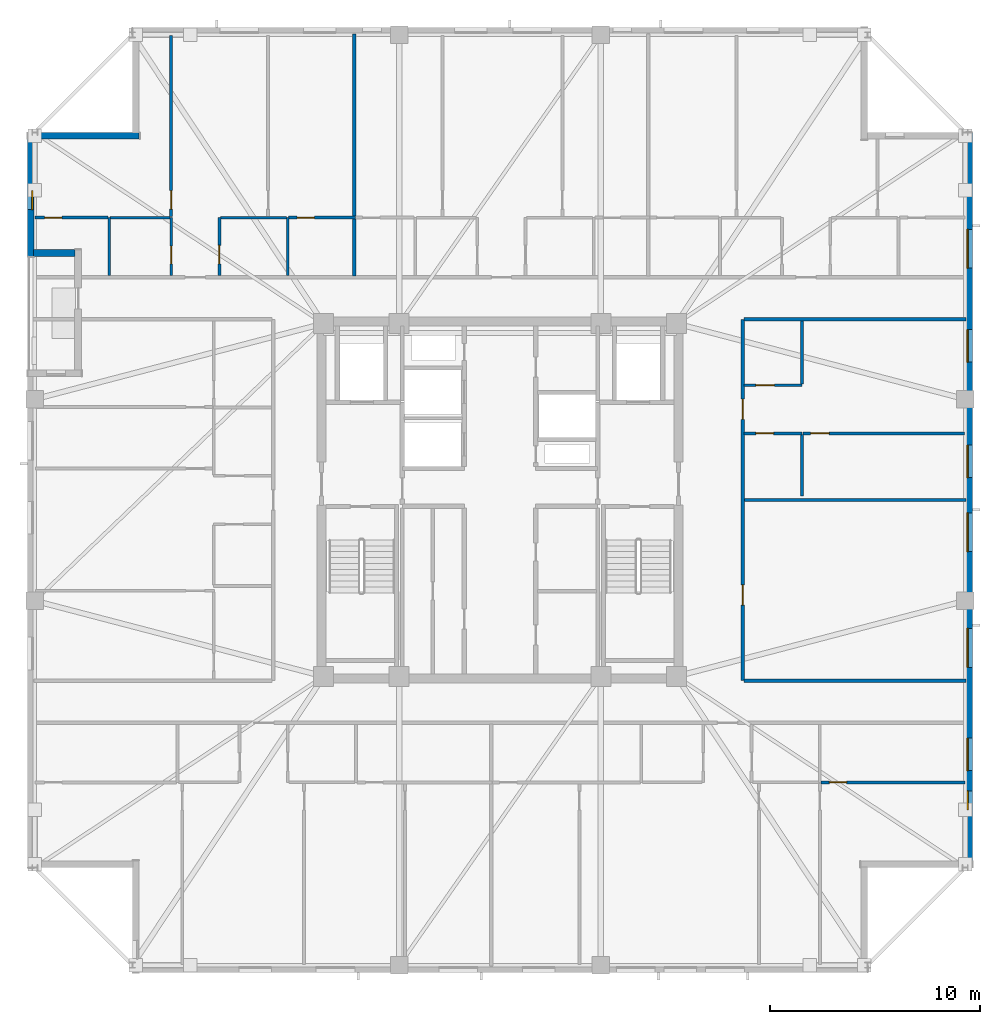
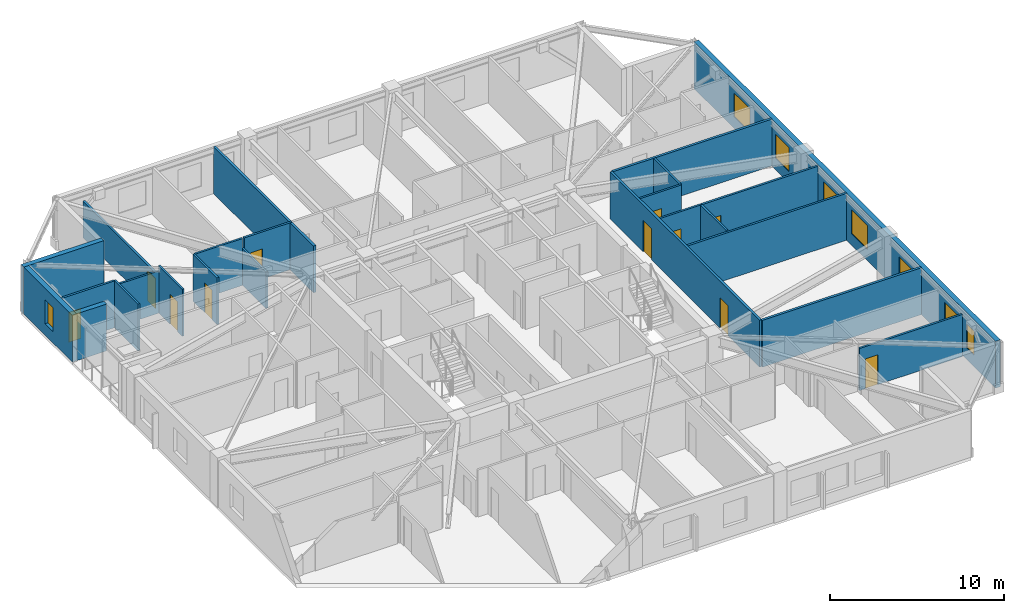
# One storey, part 10 of 17: 24 walls, 11 doors, 8 windows, 19 openings.
"""IFC4 building model written with IfcOpenShell, lengths in metres."""

from ifc_helpers import new_model, si_unit, direction, frame, frame_2d, origin, place, context, subcontext, project, spatial, rectangle, extrude, material, layer, layer_set, type_object, element, fill, save


model = new_model("IFC4")

# Units and contexts
model_context = context("Model", 3, precision=1e-05, world=origin(), true_north=direction((0.0, 1.0)))
body_context = subcontext(model_context, "Body", "Model", "MODEL_VIEW")
ifc_project = project(units=[si_unit("LENGTHUNIT", "METRE"), si_unit("AREAUNIT", "SQUARE_METRE"), si_unit("VOLUMEUNIT", "CUBIC_METRE"), si_unit("PLANEANGLEUNIT", "RADIAN"), si_unit("MASSUNIT", "GRAM", prefix="KILO")], contexts=[model_context])

# Site, building, storey
site_placement = place(None, origin())
site = spatial("IfcSite", under=ifc_project, at=site_placement, CompositionType="ELEMENT")
building_placement = place(site_placement, origin())
building = spatial("IfcBuilding", under=site, at=building_placement, Name="Cairnveth Concourse Tower", CompositionType="ELEMENT")
storey_placement = place(building_placement, frame((0.0, 0.0, 230.5)))
storey = spatial("IfcBuildingStorey", under=building, at=storey_placement, Name="L63", CompositionType="ELEMENT", Elevation=230.5)

# Wall, openings, doors
ifc_material_1 = material(Name="Gypsum Plasterboard Partition", Category="gypsum")
ifc_layer_1 = layer(ifc_material_1, 0.159912109375)
ifc_layer_set_1 = layer_set([ifc_layer_1], Name="Gypsum Plasterboard Partition")
wall_type_1 = type_object("IfcWallType", Name="ACOUSTIC PARTY WALL 180", PredefinedType="PARTITIONING", material=ifc_layer_set_1)
wall_1_placement = place(storey_placement, frame((63.550048828125, 30.39990234375, 0.0), z_axis=(0.0, 0.0, 1.0), x_axis=(0.0, 1.0, 0.0)))
wall_1 = element("IfcWall", 1, at=wall_1_placement, inside=storey, type_object=wall_type_1, Name="Interior Wall IW-L63-038", PredefinedType="PARTITIONING", context=body_context, shape_type="SweptSolid", body=[
    extrude(rectangle(XDim=17.2001953125, YDim=0.159912109375, at=frame_2d((8.60009765625, 0.0))), origin(), (0.0, 0.0, 1.0), 3.2900390625),
])
opening_1_placement = place(wall_1_placement, frame((3.60009765625, 0.0, 0.0)))
opening_1 = element("IfcOpeningElement", 2, at=opening_1_placement, cuts=wall_1, Name="Opening ID11", PredefinedType="OPENING", context=body_context, shape_type="SweptSolid", body=[
    extrude(rectangle(XDim=0.9599609375, YDim=2.1201171875, at=frame_2d((0.47998046875, 1.06005859375))), frame((0.0, 0.08984375, 0.0), z_axis=(0.0, -1.0, 0.0), x_axis=(1.0, 0.0, 0.0)), (0.0, 0.0, 1.0), 0.179931640625),
])
opening_2_placement = place(wall_1_placement, frame((12.43994140625, 0.0, 0.0)))
opening_2 = element("IfcOpeningElement", 3, at=opening_2_placement, cuts=wall_1, Name="Opening ID10", PredefinedType="OPENING", context=body_context, shape_type="SweptSolid", body=[
    extrude(rectangle(XDim=0.9599609375, YDim=2.179931640625, at=frame_2d((0.47998046875, 1.08984375))), frame((0.0, 0.08984375, 0.0), z_axis=(0.0, -1.0, 0.0), x_axis=(1.0, 0.0, 0.0)), (0.0, 0.0, 1.0), 0.179931640625),
])
ifc_material_2 = material(Name="Solid Core Hardwood Timber Leaf", Category="wood")
door_type_1 = type_object("IfcDoorType", Name="FLAT ENTRANCE DOOR 960X2150", OperationType="NOTDEFINED", PredefinedType="DOOR", material=ifc_material_2)
door_1_placement = place(opening_2_placement, origin())
door_1 = element("IfcDoor", 4, at=door_1_placement, inside=storey, type_object=door_type_1, Name="Apartment L63E1 Entrance Door", OperationType="SINGLE_SWING_LEFT", OverallHeight=2.179931640625, OverallWidth=0.9599609375, PredefinedType="DOOR", context=body_context, shape_type="SweptSolid", body=[
    extrude(rectangle(XDim=0.9599609375, YDim=2.179931640625, at=frame_2d((0.47998046875, 1.08984375))), frame((0.0, 0.02490234375, 0.0), z_axis=(0.0, -1.0, 0.0), x_axis=(1.0, 0.0, 0.0)), (0.0, 0.0, 1.0), 0.050048828125),
])
fill(opening_2, door_1)
door_type_2 = type_object("IfcDoorType", Name="INTERIOR SINGLE DOOR 960X2150", OperationType="NOTDEFINED", PredefinedType="DOOR", material=ifc_material_2)
door_2_placement = place(opening_1_placement, origin())
door_2 = element("IfcDoor", 5, at=door_2_placement, inside=storey, type_object=door_type_2, Name="Interior Door DR-L63-061", OperationType="SINGLE_SWING_LEFT", OverallHeight=2.1201171875, OverallWidth=0.9599609375, PredefinedType="DOOR", context=body_context, shape_type="SweptSolid", body=[
    extrude(rectangle(XDim=0.9599609375, YDim=2.1201171875, at=frame_2d((0.47998046875, 1.06005859375))), frame((0.0, 0.02490234375, 0.0), z_axis=(0.0, -1.0, 0.0), x_axis=(1.0, 0.0, 0.0)), (0.0, 0.0, 1.0), 0.050048828125),
])
fill(opening_1, door_2)

# Walls
for number, where, z_axis, x_axis, name in (
    (6, (63.614990234375, 30.39990234375, 0.0), (0.0, 0.0, 1.0), (1.0, 0.0, 0.0), "Interior Wall IW-L63-041"),
    (7, (63.614990234375, 47.60009765625, 0.0), (0.0, 0.0, 1.0), (1.0, 0.0, 0.0), "Interior Wall IW-L63-042"),
):
    element("IfcWall", number, at=place(storey_placement, frame(where, z_axis=z_axis, x_axis=x_axis)), inside=storey, type_object=wall_type_1, Name=name, PredefinedType="PARTITIONING", context=body_context, shape_type="SweptSolid", body=[
        extrude(rectangle(XDim=10.580078125, YDim=0.159912109375, at=frame_2d((5.2900390625, 0.0))), origin(), (0.0, 0.0, 1.0), 3.2900390625),
    ])
wall_2_placement = place(storey_placement, frame((45.0625, 49.677490234375, 0.0), z_axis=(0.0, 0.0, 1.0), x_axis=(0.0, 1.0, 0.0)))
element("IfcWall", 8, at=wall_2_placement, inside=storey, type_object=wall_type_1, Name="Interior Wall IW-L63-076", PredefinedType="PARTITIONING", context=body_context, shape_type="SweptSolid", body=[
    extrude(rectangle(XDim=11.517578125, YDim=0.159912109375, at=frame_2d((5.7587890625, 0.0))), origin(), (0.0, 0.0, 1.0), 3.2900390625),
])

# Wall, opening, door
ifc_layer_2 = layer(ifc_material_1, 0.139892578125)
ifc_layer_set_2 = layer_set([ifc_layer_2], Name="Gypsum Plasterboard Partition")
wall_type_2 = type_object("IfcWallType", Name="GYPSUM STUD PARTITION 140", PredefinedType="PARTITIONING", material=ifc_layer_set_2)
wall_3_placement = place(storey_placement, frame((67.284912109375, 25.5576171875, 0.0), z_axis=(0.0, 0.0, 1.0), x_axis=(1.0, 0.0, 0.0)))
wall_3 = element("IfcWall", 9, at=wall_3_placement, inside=storey, type_object=wall_type_2, Name="Interior Wall IW-L63-064", PredefinedType="PARTITIONING", context=body_context, shape_type="SweptSolid", body=[
    extrude(rectangle(XDim=6.844970703125, YDim=0.139892578125, at=frame_2d((3.42236328125, 0.0))), origin(), (0.0, 0.0, 1.0), 2.9580078125),
])
opening_3_placement = place(wall_3_placement, frame((0.393798828125, 0.0, 0.0)))
opening_3 = element("IfcOpeningElement", 10, at=opening_3_placement, cuts=wall_3, Name="Opening ID22", PredefinedType="OPENING", context=body_context, shape_type="SweptSolid", body=[
    extrude(rectangle(XDim=0.820068359375, YDim=2.10009765625, at=frame_2d((0.41015625, 1.050048828125))), frame((0.0, 0.079833984375, 0.0), z_axis=(0.0, -1.0, 0.0), x_axis=(1.0, 0.0, 0.0)), (0.0, 0.0, 1.0), 0.159912109375),
])
door_type_3 = type_object("IfcDoorType", Name="INTERIOR WC DOOR 820X2100", OperationType="NOTDEFINED", PredefinedType="DOOR", material=ifc_material_2)
door_3_placement = place(opening_3_placement, origin())
door_3 = element("IfcDoor", 11, at=door_3_placement, inside=storey, type_object=door_type_3, Name="L63S2 Utility Door", OperationType="SINGLE_SWING_RIGHT", OverallHeight=2.10009765625, OverallWidth=0.820068359375, PredefinedType="DOOR", context=body_context, shape_type="SweptSolid", body=[
    extrude(rectangle(XDim=0.820068359375, YDim=2.10009765625, at=frame_2d((0.41015625, 1.050048828125))), frame((0.0, 0.02490234375, 0.0), z_axis=(0.0, -1.0, 0.0), x_axis=(1.0, 0.0, 0.0)), (0.0, 0.0, 1.0), 0.050048828125),
])
fill(opening_3, door_3)

wall_4_placement = place(storey_placement, frame((36.34130859375, 52.492431640625, 0.0), z_axis=(0.0, 0.0, 1.0), x_axis=(0.0, 1.0, 0.0)))
wall_4 = element("IfcWall", 12, at=wall_4_placement, inside=storey, type_object=wall_type_2, Name="Interior Wall IW-L63-072", PredefinedType="PARTITIONING", context=body_context, shape_type="SweptSolid", body=[
    extrude(rectangle(XDim=8.627685546875, YDim=0.139892578125, at=frame_2d((4.31396484375, 0.0))), origin(), (0.0, 0.0, 1.0), 2.572998046875),
])
opening_4_placement = place(wall_4_placement, frame((0.360107421875, 0.0, 0.0)))
opening_4 = element("IfcOpeningElement", 13, at=opening_4_placement, cuts=wall_4, Name="Opening ID18", PredefinedType="OPENING", context=body_context, shape_type="SweptSolid", body=[
    extrude(rectangle(XDim=0.8798828125, YDim=2.10009765625, at=frame_2d((0.43994140625, 1.050048828125))), frame((0.0, 0.079833984375, 0.0), z_axis=(0.0, -1.0, 0.0), x_axis=(1.0, 0.0, 0.0)), (0.0, 0.0, 1.0), 0.159912109375),
])
door_type_4 = type_object("IfcDoorType", Name="INTERIOR SINGLE DOOR 880X2100", OperationType="NOTDEFINED", PredefinedType="DOOR", material=ifc_material_2)
door_4_placement = place(opening_4_placement, origin())
door_4 = element("IfcDoor", 14, at=door_4_placement, inside=storey, type_object=door_type_4, Name="L63N1 Master Bedroom Door", OperationType="SINGLE_SWING_LEFT", OverallHeight=2.10009765625, OverallWidth=0.8798828125, PredefinedType="DOOR", context=body_context, shape_type="SweptSolid", body=[
    extrude(rectangle(XDim=0.8798828125, YDim=2.10009765625, at=frame_2d((0.43994140625, 1.050048828125))), frame((0.0, 0.02490234375, 0.0), z_axis=(0.0, -1.0, 0.0), x_axis=(1.0, 0.0, 0.0)), (0.0, 0.0, 1.0), 0.050048828125),
])
fill(opening_4, door_4)

wall_5_placement = place(storey_placement, frame((29.8701171875, 52.4423828125, 0.0), z_axis=(0.0, 0.0, 1.0), x_axis=(1.0, 0.0, 0.0)))
wall_5 = element("IfcWall", 15, at=wall_5_placement, inside=storey, type_object=wall_type_2, Name="Interior Wall IW-L63-073", PredefinedType="PARTITIONING", context=body_context, shape_type="SweptSolid", body=[
    extrude(rectangle(XDim=3.47119140625, YDim=0.139892578125, at=frame_2d((1.735595703125, 0.0))), origin(), (0.0, 0.0, 1.0), 3.2900390625),
])
opening_5_placement = place(wall_5_placement, frame((0.449951171875, 0.0, 0.0)))
opening_5 = element("IfcOpeningElement", 16, at=opening_5_placement, cuts=wall_5, Name="Opening ID22", PredefinedType="OPENING", context=body_context, shape_type="SweptSolid", body=[
    extrude(rectangle(XDim=0.820068359375, YDim=2.10009765625, at=frame_2d((0.41015625, 1.050048828125))), frame((0.0, 0.079833984375, 0.0), z_axis=(0.0, -1.0, 0.0), x_axis=(1.0, 0.0, 0.0)), (0.0, 0.0, 1.0), 0.159912109375),
])
door_5_placement = place(opening_5_placement, origin())
door_5 = element("IfcDoor", 17, at=door_5_placement, inside=storey, type_object=door_type_3, Name="L63N1 Dressing Door", OperationType="SINGLE_SWING_RIGHT", OverallHeight=2.10009765625, OverallWidth=0.820068359375, PredefinedType="DOOR", context=body_context, shape_type="SweptSolid", body=[
    extrude(rectangle(XDim=0.820068359375, YDim=2.10009765625, at=frame_2d((0.41015625, 1.050048828125))), frame((0.0, 0.02490234375, 0.0), z_axis=(0.0, -1.0, 0.0), x_axis=(1.0, 0.0, 0.0)), (0.0, 0.0, 1.0), 0.050048828125),
])
fill(opening_5, door_5)

wall_6_placement = place(storey_placement, frame((41.941162109375, 52.4423828125, 0.0), z_axis=(0.0, 0.0, 1.0), x_axis=(1.0, 0.0, 0.0)))
wall_6 = element("IfcWall", 18, at=wall_6_placement, inside=storey, type_object=wall_type_2, Name="Interior Wall IW-L63-075", PredefinedType="PARTITIONING", context=body_context, shape_type="SweptSolid", body=[
    extrude(rectangle(XDim=3.17138671875, YDim=0.139892578125, at=frame_2d((1.585693359375, 0.0))), origin(), (0.0, 0.0, 1.0), 3.2900390625),
])
opening_6_placement = place(wall_6_placement, frame((0.39990234375, 0.0, 0.0)))
opening_6 = element("IfcOpeningElement", 19, at=opening_6_placement, cuts=wall_6, Name="Opening ID22", PredefinedType="OPENING", context=body_context, shape_type="SweptSolid", body=[
    extrude(rectangle(XDim=0.820068359375, YDim=2.10009765625, at=frame_2d((0.41015625, 1.050048828125))), frame((0.0, 0.079833984375, 0.0), z_axis=(0.0, -1.0, 0.0), x_axis=(1.0, 0.0, 0.0)), (0.0, 0.0, 1.0), 0.159912109375),
])
door_6_placement = place(opening_6_placement, origin())
door_6 = element("IfcDoor", 20, at=door_6_placement, inside=storey, type_object=door_type_3, Name="L63N1 Utility Door", OperationType="SINGLE_SWING_RIGHT", OverallHeight=2.10009765625, OverallWidth=0.820068359375, PredefinedType="DOOR", context=body_context, shape_type="SweptSolid", body=[
    extrude(rectangle(XDim=0.820068359375, YDim=2.10009765625, at=frame_2d((0.41015625, 1.050048828125))), frame((0.0, 0.02490234375, 0.0), z_axis=(0.0, -1.0, 0.0), x_axis=(1.0, 0.0, 0.0)), (0.0, 0.0, 1.0), 0.050048828125),
])
fill(opening_6, door_6)

# Wall
wall_7_placement = place(storey_placement, frame((63.6298828125, 39.0, 0.0), z_axis=(0.0, 0.0, 1.0), x_axis=(1.0, 0.0, 0.0)))
element("IfcWall", 21, at=wall_7_placement, inside=storey, type_object=wall_type_2, Name="Interior Wall IW-L63-109", PredefinedType="PARTITIONING", context=body_context, shape_type="SweptSolid", body=[
    extrude(rectangle(XDim=10.565185546875, YDim=0.139892578125, at=frame_2d((5.28271484375, 0.0))), origin(), (0.0, 0.0, 1.0), 3.2900390625),
])

# Wall, opening, door
wall_8_placement = place(storey_placement, frame((66.429931640625, 42.169921875, 0.0), z_axis=(0.0, 0.0, 1.0), x_axis=(1.0, 0.0, 0.0)))
wall_8 = element("IfcWall", 22, at=wall_8_placement, inside=storey, type_object=wall_type_2, Name="Interior Wall IW-L63-114", PredefinedType="PARTITIONING", context=body_context, shape_type="SweptSolid", body=[
    extrude(rectangle(XDim=7.690185546875, YDim=0.139892578125, at=frame_2d((3.84521484375, 0.0))), origin(), (0.0, 0.0, 1.0), 3.2900390625),
])
opening_7_placement = place(wall_8_placement, frame((0.360107421875, 0.0, 0.0)))
opening_7 = element("IfcOpeningElement", 23, at=opening_7_placement, cuts=wall_8, Name="Opening ID18", PredefinedType="OPENING", context=body_context, shape_type="SweptSolid", body=[
    extrude(rectangle(XDim=0.8798828125, YDim=2.10009765625, at=frame_2d((0.43994140625, 1.050048828125))), frame((0.0, 0.079833984375, 0.0), z_axis=(0.0, -1.0, 0.0), x_axis=(1.0, 0.0, 0.0)), (0.0, 0.0, 1.0), 0.159912109375),
])
door_7_placement = place(opening_7_placement, origin())
door_7 = element("IfcDoor", 24, at=door_7_placement, inside=storey, type_object=door_type_4, Name="L63E1 Master Bedroom Door", OperationType="SINGLE_SWING_RIGHT", OverallHeight=2.10009765625, OverallWidth=0.8798828125, PredefinedType="DOOR", context=body_context, shape_type="SweptSolid", body=[
    extrude(rectangle(XDim=0.8798828125, YDim=2.10009765625, at=frame_2d((0.43994140625, 1.050048828125))), frame((0.0, 0.02490234375, 0.0), z_axis=(0.0, -1.0, 0.0), x_axis=(1.0, 0.0, 0.0)), (0.0, 0.0, 1.0), 0.050048828125),
])
fill(opening_7, door_7)

# Wall
ifc_layer_3 = layer(ifc_material_1, 0.1298828125)
ifc_layer_set_3 = layer_set([ifc_layer_3], Name="Gypsum Plasterboard Partition")
wall_type_3 = type_object("IfcWallType", Name="WET AREA PARTITION 140", PredefinedType="PLUMBINGWALL", material=ifc_layer_set_3)
wall_9_placement = place(storey_placement, frame((33.391357421875, 49.6923828125, 0.0), z_axis=(0.0, 0.0, 1.0), x_axis=(0.0, 1.0, 0.0)))
element("IfcWall", 25, at=wall_9_placement, inside=storey, type_object=wall_type_3, Name="Interior Wall IW-L63-066", PredefinedType="PLUMBINGWALL", context=body_context, shape_type="SweptSolid", body=[
    extrude(rectangle(XDim=2.75, YDim=0.1298828125, at=frame_2d((1.375, 0.0))), origin(), (0.0, 0.0, 1.0), 3.2900390625),
])

# Wall, opening, door
wall_10_placement = place(storey_placement, frame((36.34130859375, 49.6923828125, 0.0), z_axis=(0.0, 0.0, 1.0), x_axis=(0.0, 1.0, 0.0)))
wall_10 = element("IfcWall", 26, at=wall_10_placement, inside=storey, type_object=wall_type_3, Name="Interior Wall IW-L63-067", PredefinedType="PLUMBINGWALL", context=body_context, shape_type="SweptSolid", body=[
    extrude(rectangle(XDim=2.75, YDim=0.1298828125, at=frame_2d((1.375, 0.0))), origin(), (0.0, 0.0, 1.0), 3.2900390625),
])
opening_8_placement = place(wall_10_placement, frame((0.550048828125, 0.0, 0.0)))
opening_8 = element("IfcOpeningElement", 27, at=opening_8_placement, cuts=wall_10, Name="Opening ID21", PredefinedType="OPENING", context=body_context, shape_type="SweptSolid", body=[
    extrude(rectangle(XDim=0.85009765625, YDim=2.080078125, at=frame_2d((0.425048828125, 1.0400390625))), frame((0.0, 0.074951171875, 0.0), z_axis=(0.0, -1.0, 0.0), x_axis=(1.0, 0.0, 0.0)), (0.0, 0.0, 1.0), 0.14990234375),
])
door_type_5 = type_object("IfcDoorType", Name="INTERIOR WC DOOR 850X2100", OperationType="NOTDEFINED", PredefinedType="DOOR", material=ifc_material_2)
door_8_placement = place(opening_8_placement, origin())
door_8 = element("IfcDoor", 28, at=door_8_placement, inside=storey, type_object=door_type_5, Name="L63N1 Bathroom Door", OperationType="SINGLE_SWING_RIGHT", OverallHeight=2.080078125, OverallWidth=0.85009765625, PredefinedType="DOOR", context=body_context, shape_type="SweptSolid", body=[
    extrude(rectangle(XDim=0.85009765625, YDim=2.080078125, at=frame_2d((0.425048828125, 1.0400390625))), frame((0.0, 0.02490234375, 0.0), z_axis=(0.0, -1.0, 0.0), x_axis=(1.0, 0.0, 0.0)), (0.0, 0.0, 1.0), 0.050048828125),
])
fill(opening_8, door_8)

# Walls
wall_11_placement = place(storey_placement, frame((33.44140625, 52.4423828125, 0.0), z_axis=(0.0, 0.0, 1.0), x_axis=(1.0, 0.0, 0.0)))
element("IfcWall", 29, at=wall_11_placement, inside=storey, type_object=wall_type_3, Name="Interior Wall IW-L63-068", PredefinedType="PLUMBINGWALL", context=body_context, shape_type="SweptSolid", body=[
    extrude(rectangle(XDim=2.849853515625, YDim=0.1298828125, at=frame_2d((1.4248046875, 0.0))), origin(), (0.0, 0.0, 1.0), 2.9580078125),
])
wall_12_placement = place(storey_placement, frame((41.89111328125, 49.6923828125, 0.0), z_axis=(0.0, 0.0, 1.0), x_axis=(0.0, 1.0, 0.0)))
element("IfcWall", 30, at=wall_12_placement, inside=storey, type_object=wall_type_3, Name="Interior Wall IW-L63-069", PredefinedType="PLUMBINGWALL", context=body_context, shape_type="SweptSolid", body=[
    extrude(rectangle(XDim=2.75, YDim=0.1298828125, at=frame_2d((1.375, 0.0))), origin(), (0.0, 0.0, 1.0), 2.572998046875),
])

# Wall, opening, door
wall_13_placement = place(storey_placement, frame((38.64111328125, 49.6923828125, 0.0), z_axis=(0.0, 0.0, 1.0), x_axis=(0.0, 1.0, 0.0)))
wall_13 = element("IfcWall", 31, at=wall_13_placement, inside=storey, type_object=wall_type_3, Name="Interior Wall IW-L63-070", PredefinedType="PLUMBINGWALL", context=body_context, shape_type="SweptSolid", body=[
    extrude(rectangle(XDim=2.75, YDim=0.1298828125, at=frame_2d((1.375, 0.0))), origin(), (0.0, 0.0, 1.0), 3.2900390625),
])
opening_9_placement = place(wall_13_placement, frame((0.550048828125, 0.0, 0.0)))
opening_9 = element("IfcOpeningElement", 32, at=opening_9_placement, cuts=wall_13, Name="Opening ID18", PredefinedType="OPENING", context=body_context, shape_type="SweptSolid", body=[
    extrude(rectangle(XDim=0.8798828125, YDim=2.10009765625, at=frame_2d((0.43994140625, 1.050048828125))), frame((0.0, 0.074951171875, 0.0), z_axis=(0.0, -1.0, 0.0), x_axis=(1.0, 0.0, 0.0)), (0.0, 0.0, 1.0), 0.14990234375),
])
door_9_placement = place(opening_9_placement, origin())
door_9 = element("IfcDoor", 33, at=door_9_placement, inside=storey, type_object=door_type_4, Name="L63N1 Kitchen Door", OperationType="SINGLE_SWING_LEFT", OverallHeight=2.10009765625, OverallWidth=0.8798828125, PredefinedType="DOOR", context=body_context, shape_type="SweptSolid", body=[
    extrude(rectangle(XDim=0.8798828125, YDim=2.10009765625, at=frame_2d((0.43994140625, 1.050048828125))), frame((0.0, 0.02490234375, 0.0), z_axis=(0.0, -1.0, 0.0), x_axis=(1.0, 0.0, 0.0)), (0.0, 0.0, 1.0), 0.050048828125),
])
fill(opening_9, door_9)

# Wall
wall_14_placement = place(storey_placement, frame((38.691162109375, 52.4423828125, 0.0), z_axis=(0.0, 0.0, 1.0), x_axis=(1.0, 0.0, 0.0)))
element("IfcWall", 34, at=wall_14_placement, inside=storey, type_object=wall_type_3, Name="Interior Wall IW-L63-071", PredefinedType="PLUMBINGWALL", context=body_context, shape_type="SweptSolid", body=[
    extrude(rectangle(XDim=3.150146484375, YDim=0.1298828125, at=frame_2d((1.5751953125, 0.0))), origin(), (0.0, 0.0, 1.0), 3.2900390625),
])

# Wall, opening, door
wall_15_placement = place(storey_placement, frame((63.6298828125, 42.169921875, 0.0), z_axis=(0.0, 0.0, 1.0), x_axis=(1.0, 0.0, 0.0)))
wall_15 = element("IfcWall", 35, at=wall_15_placement, inside=storey, type_object=wall_type_3, Name="Interior Wall IW-L63-110", PredefinedType="PLUMBINGWALL", context=body_context, shape_type="SweptSolid", body=[
    extrude(rectangle(XDim=2.75, YDim=0.1298828125, at=frame_2d((1.375, 0.0))), origin(), (0.0, 0.0, 1.0), 3.2900390625),
])
opening_10_placement = place(wall_15_placement, frame((0.550048828125, 0.0, 0.0)))
opening_10 = element("IfcOpeningElement", 36, at=opening_10_placement, cuts=wall_15, Name="Opening ID21", PredefinedType="OPENING", context=body_context, shape_type="SweptSolid", body=[
    extrude(rectangle(XDim=0.85009765625, YDim=2.080078125, at=frame_2d((0.425048828125, 1.0400390625))), frame((0.0, 0.074951171875, 0.0), z_axis=(0.0, -1.0, 0.0), x_axis=(1.0, 0.0, 0.0)), (0.0, 0.0, 1.0), 0.14990234375),
])
door_10_placement = place(opening_10_placement, origin())
door_10 = element("IfcDoor", 37, at=door_10_placement, inside=storey, type_object=door_type_5, Name="L63E1 Bathroom Door", OperationType="SINGLE_SWING_RIGHT", OverallHeight=2.080078125, OverallWidth=0.85009765625, PredefinedType="DOOR", context=body_context, shape_type="SweptSolid", body=[
    extrude(rectangle(XDim=0.85009765625, YDim=2.080078125, at=frame_2d((0.425048828125, 1.0400390625))), frame((0.0, 0.02490234375, 0.0), z_axis=(0.0, -1.0, 0.0), x_axis=(1.0, 0.0, 0.0)), (0.0, 0.0, 1.0), 0.050048828125),
])
fill(opening_10, door_10)

# Wall
wall_16_placement = place(storey_placement, frame((66.3798828125, 39.179931640625, 0.0), z_axis=(0.0, 0.0, 1.0), x_axis=(0.0, 1.0, 0.0)))
element("IfcWall", 38, at=wall_16_placement, inside=storey, type_object=wall_type_3, Name="Interior Wall IW-L63-111", PredefinedType="PLUMBINGWALL", context=body_context, shape_type="SweptSolid", body=[
    extrude(rectangle(XDim=2.940185546875, YDim=0.1298828125, at=frame_2d((1.47021484375, 0.0))), origin(), (0.0, 0.0, 1.0), 3.2900390625),
])

# Wall, opening, door
wall_17_placement = place(storey_placement, frame((63.6298828125, 44.469970703125, 0.0), z_axis=(0.0, 0.0, 1.0), x_axis=(1.0, 0.0, 0.0)))
wall_17 = element("IfcWall", 39, at=wall_17_placement, inside=storey, type_object=wall_type_3, Name="Interior Wall IW-L63-112", PredefinedType="PLUMBINGWALL", context=body_context, shape_type="SweptSolid", body=[
    extrude(rectangle(XDim=2.75, YDim=0.1298828125, at=frame_2d((1.375, 0.0))), origin(), (0.0, 0.0, 1.0), 3.2900390625),
])
opening_11_placement = place(wall_17_placement, frame((0.550048828125, 0.0, 0.0)))
opening_11 = element("IfcOpeningElement", 40, at=opening_11_placement, cuts=wall_17, Name="Opening ID18", PredefinedType="OPENING", context=body_context, shape_type="SweptSolid", body=[
    extrude(rectangle(XDim=0.8798828125, YDim=2.10009765625, at=frame_2d((0.43994140625, 1.050048828125))), frame((0.0, 0.074951171875, 0.0), z_axis=(0.0, -1.0, 0.0), x_axis=(1.0, 0.0, 0.0)), (0.0, 0.0, 1.0), 0.14990234375),
])
door_11_placement = place(opening_11_placement, origin())
door_11 = element("IfcDoor", 41, at=door_11_placement, inside=storey, type_object=door_type_4, Name="L63E1 Kitchen Door", OperationType="SINGLE_SWING_LEFT", OverallHeight=2.10009765625, OverallWidth=0.8798828125, PredefinedType="DOOR", context=body_context, shape_type="SweptSolid", body=[
    extrude(rectangle(XDim=0.8798828125, YDim=2.10009765625, at=frame_2d((0.43994140625, 1.050048828125))), frame((0.0, 0.02490234375, 0.0), z_axis=(0.0, -1.0, 0.0), x_axis=(1.0, 0.0, 0.0)), (0.0, 0.0, 1.0), 0.050048828125),
])
fill(opening_11, door_11)

# Wall
wall_18_placement = place(storey_placement, frame((66.3798828125, 44.52001953125, 0.0), z_axis=(0.0, 0.0, 1.0), x_axis=(0.0, 1.0, 0.0)))
element("IfcWall", 42, at=wall_18_placement, inside=storey, type_object=wall_type_3, Name="Interior Wall IW-L63-113", PredefinedType="PLUMBINGWALL", context=body_context, shape_type="SweptSolid", body=[
    extrude(rectangle(XDim=3.014892578125, YDim=0.1298828125, at=frame_2d((1.50732421875, 0.0))), origin(), (0.0, 0.0, 1.0), 3.2900390625),
])

# Wall, opening, window
ifc_material_3 = material(Name="Melbourne Buff Fired Clay Brick Masonry", Category="masonry")
ifc_layer_4 = layer(ifc_material_3, 0.320068359375)
ifc_layer_set_4 = layer_set([ifc_layer_4], Name="Melbourne Buff Fired Clay Brick Masonry")
wall_type_4 = type_object("IfcWallType", Name="ZONE 3 BRICK PIER SPANDREL WALL 320", PredefinedType="SOLIDWALL", material=ifc_layer_set_4)
wall_19_placement = place(storey_placement, frame((29.659912109375, 50.60009765625, 0.0), z_axis=(0.0, 0.0, 1.0), x_axis=(0.0, 1.0, 0.0)))
wall_19 = element("IfcWall", 43, at=wall_19_placement, inside=storey, type_object=wall_type_4, Name="Exterior Wall EW-L63-S00", PredefinedType="SOLIDWALL", context=body_context, shape_type="SweptSolid", body=[
    extrude(rectangle(XDim=5.601806640625, YDim=0.320068359375, at=frame_2d((2.80078125, 0.0))), origin(), (0.0, 0.0, 1.0), 3.2900390625),
])
opening_12_placement = place(wall_19_placement, frame((2.22998046875, 0.0, 0.800048828125)))
opening_12 = element("IfcOpeningElement", 44, at=opening_12_placement, cuts=wall_19, Name="Opening W13", PredefinedType="OPENING", context=body_context, shape_type="SweptSolid", body=[
    extrude(rectangle(XDim=0.89990234375, YDim=1.677978515625, at=frame_2d((0.449951171875, 0.8388671875))), frame((0.0, 0.169921875, 0.0), z_axis=(0.0, -1.0, 0.0), x_axis=(1.0, 0.0, 0.0)), (0.0, 0.0, 1.0), 0.340087890625),
])
ifc_material_4 = material(Name="Double Glazed Low-E Clear Glass", Category="glass")
window_type_1 = type_object("IfcWindowType", Name="DEEP-SET BEDROOM LANCET WINDOW 900X1750", PartitioningType="DOUBLE_PANEL_VERTICAL", PredefinedType="WINDOW", material=ifc_material_4)
window_1_placement = place(opening_12_placement, origin())
window_1 = element("IfcWindow", 45, at=window_1_placement, inside=storey, type_object=window_type_1, Name="Dwelling Lancet Window L63-DW3", OverallHeight=1.677978515625, OverallWidth=0.89990234375, PartitioningType="SINGLE_PANEL", PredefinedType="WINDOW", context=body_context, shape_type="SweptSolid", body=[
    extrude(rectangle(XDim=0.89990234375, YDim=1.677978515625, at=frame_2d((0.449951171875, 0.8388671875))), frame((0.0, -0.0400390625, 0.0), z_axis=(0.0, -1.0, 0.0), x_axis=(1.0, 0.0, 0.0)), (0.0, 0.0, 1.0), 0.06005859375),
])
fill(opening_12, window_1)

# Wall
wall_20_placement = place(storey_placement, frame((29.5, 56.340087890625, 0.0), z_axis=(0.0, 0.0, 1.0), x_axis=(1.0, 0.0, 0.0)))
element("IfcWall", 46, at=wall_20_placement, inside=storey, type_object=wall_type_4, Name="Exterior Wall EW-L63-S01", PredefinedType="SOLIDWALL", context=body_context, shape_type="SweptSolid", body=[
    extrude(rectangle(XDim=5.320068359375, YDim=0.320068359375, at=frame_2d((2.66015625, 0.0))), origin(), (0.0, 0.0, 1.0), 3.2900390625),
])

# Wall, openings, windows
wall_21_placement = place(storey_placement, frame((74.340087890625, 56.5, 0.0), z_axis=(0.0, 0.0, 1.0), x_axis=(0.0, -1.0, 0.0)))
wall_21 = element("IfcWall", 47, at=wall_21_placement, inside=storey, type_object=wall_type_4, Name="Exterior Wall EW-L63-S06", PredefinedType="SOLIDWALL", context=body_context, shape_type="SweptSolid", body=[
    extrude(rectangle(XDim=34.701904296875, YDim=0.320068359375, at=frame_2d((17.35107421875, 0.0))), origin(), (0.0, 0.0, 1.0), 3.2900390625),
])
opening_13_placement = place(wall_21_placement, frame((4.612548828125, 0.0, 0.800048828125)))
opening_13 = element("IfcOpeningElement", 48, at=opening_13_placement, cuts=wall_21, Name="Opening W08", PredefinedType="OPENING", context=body_context, shape_type="SweptSolid", body=[
    extrude(rectangle(XDim=1.85009765625, YDim=1.677978515625, at=frame_2d((0.925048828125, 0.8388671875))), frame((0.0, 0.169921875, 0.0), z_axis=(0.0, -1.0, 0.0), x_axis=(1.0, 0.0, 0.0)), (0.0, 0.0, 1.0), 0.340087890625),
])
opening_14_placement = place(wall_21_placement, frame((9.387939453125, 0.0, 0.800048828125)))
opening_14 = element("IfcOpeningElement", 49, at=opening_14_placement, cuts=wall_21, Name="Opening W07", PredefinedType="OPENING", context=body_context, shape_type="SweptSolid", body=[
    extrude(rectangle(XDim=1.550048828125, YDim=1.677978515625, at=frame_2d((0.77490234375, 0.8388671875))), frame((0.0, 0.169921875, 0.0), z_axis=(0.0, -1.0, 0.0), x_axis=(1.0, 0.0, 0.0)), (0.0, 0.0, 1.0), 0.340087890625),
])
opening_15_placement = place(wall_21_placement, frame((14.888427734375, 0.0, 0.800048828125)))
opening_15 = element("IfcOpeningElement", 50, at=opening_15_placement, cuts=wall_21, Name="Opening W07", PredefinedType="OPENING", context=body_context, shape_type="SweptSolid", body=[
    extrude(rectangle(XDim=1.550048828125, YDim=1.677978515625, at=frame_2d((0.77490234375, 0.8388671875))), frame((0.0, 0.169921875, 0.0), z_axis=(0.0, -1.0, 0.0), x_axis=(1.0, 0.0, 0.0)), (0.0, 0.0, 1.0), 0.340087890625),
])
opening_16_placement = place(wall_21_placement, frame((18.113525390625, 0.0, 0.800048828125)))
opening_16 = element("IfcOpeningElement", 51, at=opening_16_placement, cuts=wall_21, Name="Opening W08", PredefinedType="OPENING", context=body_context, shape_type="SweptSolid", body=[
    extrude(rectangle(XDim=1.85009765625, YDim=1.677978515625, at=frame_2d((0.925048828125, 0.8388671875))), frame((0.0, 0.169921875, 0.0), z_axis=(0.0, -1.0, 0.0), x_axis=(1.0, 0.0, 0.0)), (0.0, 0.0, 1.0), 0.340087890625),
])
opening_17_placement = place(wall_21_placement, frame((23.614013671875, 0.0, 0.800048828125)))
opening_17 = element("IfcOpeningElement", 52, at=opening_17_placement, cuts=wall_21, Name="Opening W08", PredefinedType="OPENING", context=body_context, shape_type="SweptSolid", body=[
    extrude(rectangle(XDim=1.85009765625, YDim=1.677978515625, at=frame_2d((0.925048828125, 0.8388671875))), frame((0.0, 0.169921875, 0.0), z_axis=(0.0, -1.0, 0.0), x_axis=(1.0, 0.0, 0.0)), (0.0, 0.0, 1.0), 0.340087890625),
])
opening_18_placement = place(wall_21_placement, frame((28.83935546875, 0.0, 0.800048828125)))
opening_18 = element("IfcOpeningElement", 53, at=opening_18_placement, cuts=wall_21, Name="Opening W07", PredefinedType="OPENING", context=body_context, shape_type="SweptSolid", body=[
    extrude(rectangle(XDim=1.550048828125, YDim=1.677978515625, at=frame_2d((0.77490234375, 0.8388671875))), frame((0.0, 0.169921875, 0.0), z_axis=(0.0, -1.0, 0.0), x_axis=(1.0, 0.0, 0.0)), (0.0, 0.0, 1.0), 0.340087890625),
])
opening_19_placement = place(wall_21_placement, frame((31.35009765625, 0.0, 0.800048828125)))
opening_19 = element("IfcOpeningElement", 54, at=opening_19_placement, cuts=wall_21, Name="Opening W13", PredefinedType="OPENING", context=body_context, shape_type="SweptSolid", body=[
    extrude(rectangle(XDim=0.89990234375, YDim=1.677978515625, at=frame_2d((0.449951171875, 0.8388671875))), frame((0.0, 0.169921875, 0.0), z_axis=(0.0, -1.0, 0.0), x_axis=(1.0, 0.0, 0.0)), (0.0, 0.0, 1.0), 0.340087890625),
])
window_type_2 = type_object("IfcWindowType", Name="DEEP-SET APARTMENT LIVING WINDOW 1850X1850", PartitioningType="DOUBLE_PANEL_VERTICAL", PredefinedType="WINDOW", material=ifc_material_4)
window_2_placement = place(opening_13_placement, origin())
window_2 = element("IfcWindow", 55, at=window_2_placement, inside=storey, type_object=window_type_2, Name="Gothic Lancet Window L63-6-1", OverallHeight=1.677978515625, OverallWidth=1.85009765625, PartitioningType="SINGLE_PANEL", PredefinedType="WINDOW", context=body_context, shape_type="SweptSolid", body=[
    extrude(rectangle(XDim=1.85009765625, YDim=1.677978515625, at=frame_2d((0.925048828125, 0.8388671875))), frame((0.0, -0.050048828125, 0.0), z_axis=(0.0, -1.0, 0.0), x_axis=(1.0, 0.0, 0.0)), (0.0, 0.0, 1.0), 0.06005859375),
])
fill(opening_13, window_2)
window_3_placement = place(opening_16_placement, origin())
window_3 = element("IfcWindow", 56, at=window_3_placement, inside=storey, type_object=window_type_2, Name="Gothic Lancet Window L63-6-5", OverallHeight=1.677978515625, OverallWidth=1.85009765625, PartitioningType="SINGLE_PANEL", PredefinedType="WINDOW", context=body_context, shape_type="SweptSolid", body=[
    extrude(rectangle(XDim=1.85009765625, YDim=1.677978515625, at=frame_2d((0.925048828125, 0.8388671875))), frame((0.0, -0.050048828125, 0.0), z_axis=(0.0, -1.0, 0.0), x_axis=(1.0, 0.0, 0.0)), (0.0, 0.0, 1.0), 0.06005859375),
])
fill(opening_16, window_3)
window_4_placement = place(opening_17_placement, origin())
window_4 = element("IfcWindow", 57, at=window_4_placement, inside=storey, type_object=window_type_2, Name="Gothic Lancet Window L63-6-7", OverallHeight=1.677978515625, OverallWidth=1.85009765625, PartitioningType="SINGLE_PANEL", PredefinedType="WINDOW", context=body_context, shape_type="SweptSolid", body=[
    extrude(rectangle(XDim=1.85009765625, YDim=1.677978515625, at=frame_2d((0.925048828125, 0.8388671875))), frame((0.0, -0.050048828125, 0.0), z_axis=(0.0, -1.0, 0.0), x_axis=(1.0, 0.0, 0.0)), (0.0, 0.0, 1.0), 0.06005859375),
])
fill(opening_17, window_4)
window_type_3 = type_object("IfcWindowType", Name="DEEP-SET APARTMENT WINDOW 1550X1800", PartitioningType="DOUBLE_PANEL_VERTICAL", PredefinedType="WINDOW", material=ifc_material_4)
window_5_placement = place(opening_14_placement, origin())
window_5 = element("IfcWindow", 58, at=window_5_placement, inside=storey, type_object=window_type_3, Name="Gothic Lancet Window L63-6-2", OverallHeight=1.677978515625, OverallWidth=1.550048828125, PartitioningType="SINGLE_PANEL", PredefinedType="WINDOW", context=body_context, shape_type="SweptSolid", body=[
    extrude(rectangle(XDim=1.550048828125, YDim=1.677978515625, at=frame_2d((0.77490234375, 0.8388671875))), frame((0.0, -0.050048828125, 0.0), z_axis=(0.0, -1.0, 0.0), x_axis=(1.0, 0.0, 0.0)), (0.0, 0.0, 1.0), 0.06005859375),
])
fill(opening_14, window_5)
window_6_placement = place(opening_15_placement, origin())
window_6 = element("IfcWindow", 59, at=window_6_placement, inside=storey, type_object=window_type_3, Name="Gothic Lancet Window L63-6-4", OverallHeight=1.677978515625, OverallWidth=1.550048828125, PartitioningType="SINGLE_PANEL", PredefinedType="WINDOW", context=body_context, shape_type="SweptSolid", body=[
    extrude(rectangle(XDim=1.550048828125, YDim=1.677978515625, at=frame_2d((0.77490234375, 0.8388671875))), frame((0.0, -0.050048828125, 0.0), z_axis=(0.0, -1.0, 0.0), x_axis=(1.0, 0.0, 0.0)), (0.0, 0.0, 1.0), 0.06005859375),
])
fill(opening_15, window_6)
window_7_placement = place(opening_18_placement, origin())
window_7 = element("IfcWindow", 60, at=window_7_placement, inside=storey, type_object=window_type_3, Name="Gothic Lancet Window L63-6-8", OverallHeight=1.677978515625, OverallWidth=1.550048828125, PartitioningType="SINGLE_PANEL", PredefinedType="WINDOW", context=body_context, shape_type="SweptSolid", body=[
    extrude(rectangle(XDim=1.550048828125, YDim=1.677978515625, at=frame_2d((0.77490234375, 0.8388671875))), frame((0.0, -0.050048828125, 0.0), z_axis=(0.0, -1.0, 0.0), x_axis=(1.0, 0.0, 0.0)), (0.0, 0.0, 1.0), 0.06005859375),
])
fill(opening_18, window_7)
window_8_placement = place(opening_19_placement, origin())
window_8 = element("IfcWindow", 61, at=window_8_placement, inside=storey, type_object=window_type_1, Name="Dwelling Lancet Window L63-DW2", OverallHeight=1.677978515625, OverallWidth=0.89990234375, PartitioningType="SINGLE_PANEL", PredefinedType="WINDOW", context=body_context, shape_type="SweptSolid", body=[
    extrude(rectangle(XDim=0.89990234375, YDim=1.677978515625, at=frame_2d((0.449951171875, 0.8388671875))), frame((0.0, -0.0400390625, 0.0), z_axis=(0.0, -1.0, 0.0), x_axis=(1.0, 0.0, 0.0)), (0.0, 0.0, 1.0), 0.06005859375),
])
fill(opening_19, window_8)

# Wall
wall_22_placement = place(storey_placement, frame((31.77197265625, 50.760009765625, 0.0), z_axis=(0.0, 0.0, 1.0), x_axis=(-1.0, 0.0, 0.0)))
element("IfcWall", 62, at=wall_22_placement, inside=storey, type_object=wall_type_4, Name="Exterior Wall EW-L63-S15", PredefinedType="SOLIDWALL", context=body_context, shape_type="SweptSolid", body=[
    extrude(rectangle(XDim=1.973876953125, YDim=0.320068359375, at=frame_2d((0.98681640625, 0.0))), origin(), (0.0, 0.0, 1.0), 3.2900390625),
])

save(model, "model.ifc")
